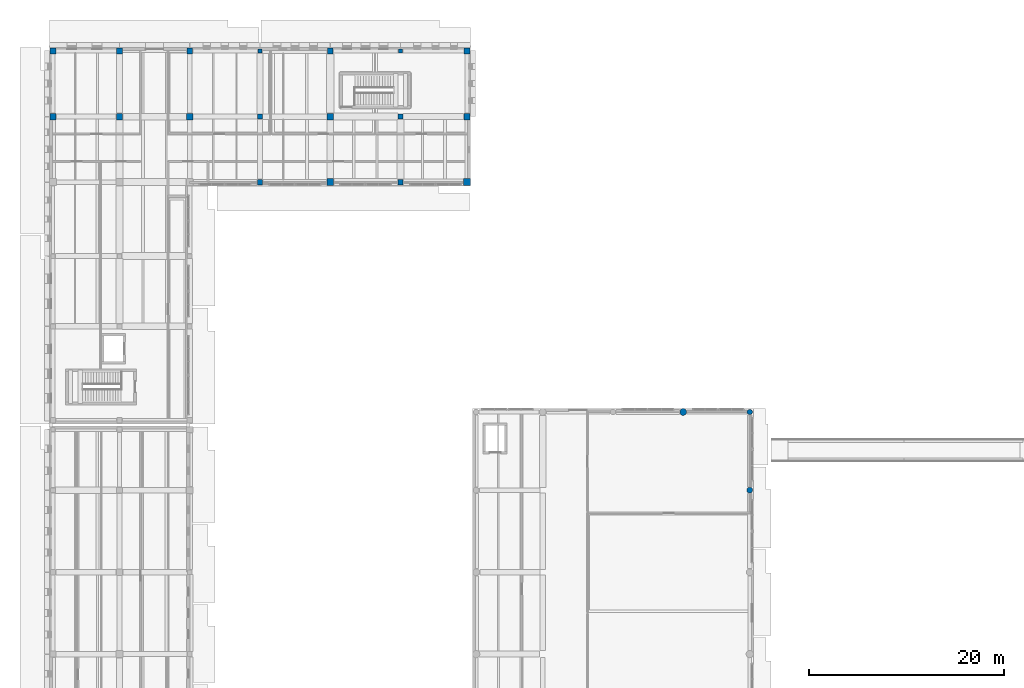
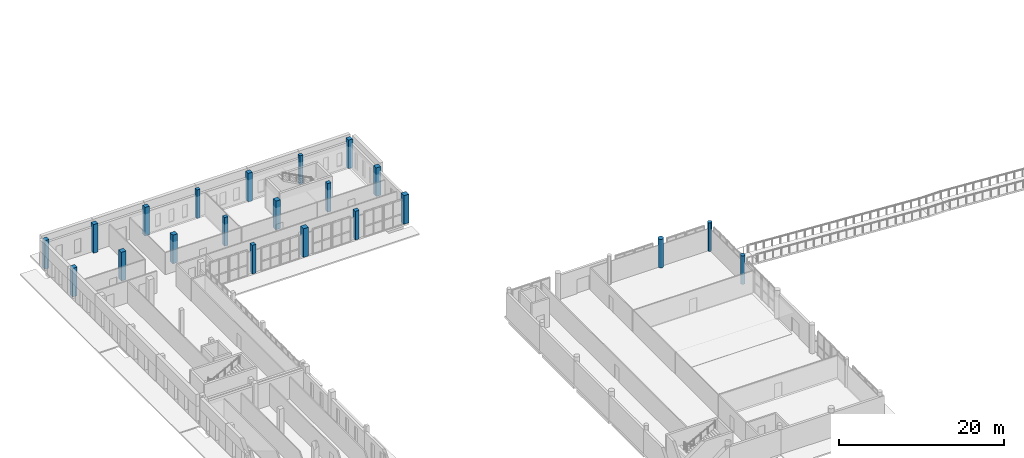
# One storey, part 4 of 77: 21 columns.
"""IFC4 building model written with IfcOpenShell, lengths in metres."""

from ifc_helpers import new_model, si_unit, direction, frame, origin, origin_2d, place, context, subcontext, project, spatial, rectangle, circle, extrude, material, material_profile, profile_set, type_object, element, save


model = new_model("IFC4")

# Units and contexts
model_context = context("Model", 3, precision=1e-05, world=origin(), true_north=direction((0.0, 1.0)))
body_context = subcontext(model_context, "Body", "Model", "MODEL_VIEW")
ifc_project = project(units=[si_unit("LENGTHUNIT", "METRE"), si_unit("AREAUNIT", "SQUARE_METRE"), si_unit("VOLUMEUNIT", "CUBIC_METRE"), si_unit("PLANEANGLEUNIT", "RADIAN"), si_unit("MASSUNIT", "GRAM", prefix="KILO")], contexts=[model_context])

# Site, building, storey
site_placement = place(None, origin())
site = spatial("IfcSite", under=ifc_project, at=site_placement, CompositionType="ELEMENT")
building_placement = place(site_placement, origin())
building = spatial("IfcBuilding", under=site, at=building_placement, Name="Vardoun Plaza Health Centre", CompositionType="ELEMENT")
storey_placement = place(building_placement, origin())
storey = spatial("IfcBuildingStorey", under=building, at=storey_placement, Name="L00", CompositionType="ELEMENT", Elevation=0.0)

# Columns
ifc_material_1 = material(Name="Concrete C40/50", Category="concrete")
ifc_material_profile_1 = material_profile(ifc_material_1, rectangle(XDim=0.449951171875, YDim=0.449951171875, at=origin_2d()), Name="RC-COL 450x450")
ifc_profile_set_1 = profile_set([ifc_material_profile_1], Name="Concrete C40/50")
column_type_1 = type_object("IfcColumnType", Name="C-07", PredefinedType="COLUMN", material=ifc_profile_set_1)
for number, where, z_axis, x_axis, name in (
    (1, (26.10009765625, 114.919921875, 0.0), (0.0, 0.0, 1.0), (1.0, 0.0, 0.0), "V3 L00 Column C-V3-21"),
    (2, (40.5, 114.919921875, 0.0), (0.0, 0.0, 1.0), (1.0, 0.0, 0.0), "V3 L00 Column C-V3-27"),
):
    element("IfcColumn", number, at=place(storey_placement, frame(where, z_axis=z_axis, x_axis=x_axis)), inside=storey, type_object=column_type_1, Name=name, PredefinedType="COLUMN", context=body_context, shape_type="SweptSolid", body=[
        extrude(rectangle(XDim=0.449951171875, YDim=0.449951171875, at=origin_2d()), origin(), (0.0, 0.0, 1.0), 4.235107421875),
    ])
ifc_material_2 = material(Name="Concrete C40/50", Category="concrete")
ifc_material_profile_2 = material_profile(ifc_material_2, rectangle(XDim=0.5, YDim=0.5, at=origin_2d()), Name="RC-COL 500x500")
ifc_profile_set_2 = profile_set([ifc_material_profile_2], Name="Concrete C40/50")
column_type_2 = type_object("IfcColumnType", Name="C-06", PredefinedType="COLUMN", material=ifc_profile_set_2)
for number, where, z_axis, x_axis, name in (
    (3, (26.10009765625, 108.199951171875, 0.0), (0.0, 0.0, 1.0), (1.0, 0.0, 0.0), "V3 L00 Column C-V3-20"),
    (4, (40.5, 108.199951171875, 0.0), (0.0, 0.0, 1.0), (1.0, 0.0, 0.0), "V3 L00 Column C-V3-26"),
):
    element("IfcColumn", number, at=place(storey_placement, frame(where, z_axis=z_axis, x_axis=x_axis)), inside=storey, type_object=column_type_2, Name=name, PredefinedType="COLUMN", context=body_context, shape_type="SweptSolid", body=[
        extrude(rectangle(XDim=0.5, YDim=0.5, at=origin_2d()), origin(), (0.0, 0.0, 1.0), 4.235107421875),
    ])
ifc_material_3 = material(Name="Concrete C40/50", Category="concrete")
ifc_material_profile_3 = material_profile(ifc_material_3, rectangle(XDim=0.550048828125, YDim=0.550048828125, at=origin_2d()), Name="RC-COL 550x550")
ifc_profile_set_3 = profile_set([ifc_material_profile_3], Name="Concrete C40/50")
column_type_3 = type_object("IfcColumnType", Name="C-05", PredefinedType="COLUMN", material=ifc_profile_set_3)
for number, where, z_axis, x_axis, name in (
    (5, (26.10009765625, 101.47998046875, 0.0), (0.0, 0.0, 1.0), (1.0, 0.0, 0.0), "V3 L00 Column C-V3-19"),
    (6, (40.5, 101.47998046875, 0.0), (0.0, 0.0, 1.0), (1.0, 0.0, 0.0), "V3 L00 Column C-V3-25"),
):
    element("IfcColumn", number, at=place(storey_placement, frame(where, z_axis=z_axis, x_axis=x_axis)), inside=storey, type_object=column_type_3, Name=name, PredefinedType="COLUMN", context=body_context, shape_type="SweptSolid", body=[
        extrude(rectangle(XDim=0.550048828125, YDim=0.550048828125, at=origin_2d()), origin(), (0.0, 0.0, 1.0), 4.235107421875),
    ])
ifc_material_4 = material(Name="Concrete C40/50", Category="concrete")
ifc_material_profile_4 = material_profile(ifc_material_4, rectangle(XDim=0.60009765625, YDim=0.60009765625, at=origin_2d()), Name="RC-COL 600x600")
ifc_profile_set_4 = profile_set([ifc_material_profile_4], Name="Concrete C40/50")
column_type_4 = type_object("IfcColumnType", Name="C-04", PredefinedType="COLUMN", material=ifc_profile_set_4)
for number, where, z_axis, x_axis, name in (
    (7, (4.8798828125, 114.919921875, 0.0), (0.0, 0.0, 1.0), (1.0, 0.0, 0.0), "V3 L00 Column C-V3-06"),
    (8, (11.699951171875, 114.919921875, 0.0), (0.0, 0.0, 1.0), (1.0, 0.0, 0.0), "V3 L00 Column C-V3-12"),
    (9, (18.89990234375, 114.919921875, 0.0), (0.0, 0.0, 1.0), (1.0, 0.0, 0.0), "V3 L00 Column C-V3-18"),
    (10, (33.300048828125, 114.919921875, 0.0), (0.0, 0.0, 1.0), (1.0, 0.0, 0.0), "V3 L00 Column C-V3-24"),
    (11, (47.320068359375, 114.919921875, 0.0), (0.0, 0.0, 1.0), (1.0, 0.0, 0.0), "V3 L00 Column C-V3-30"),
):
    element("IfcColumn", number, at=place(storey_placement, frame(where, z_axis=z_axis, x_axis=x_axis)), inside=storey, type_object=column_type_4, Name=name, PredefinedType="COLUMN", context=body_context, shape_type="SweptSolid", body=[
        extrude(rectangle(XDim=0.60009765625, YDim=0.60009765625, at=origin_2d()), origin(), (0.0, 0.0, 1.0), 4.235107421875),
    ])
ifc_material_5 = material(Name="Concrete C40/50", Category="concrete")
ifc_material_profile_5 = material_profile(ifc_material_5, rectangle(XDim=0.64990234375, YDim=0.64990234375, at=origin_2d()), Name="RC-COL 650x650")
ifc_profile_set_5 = profile_set([ifc_material_profile_5], Name="Concrete C40/50")
column_type_5 = type_object("IfcColumnType", Name="C-03", PredefinedType="COLUMN", material=ifc_profile_set_5)
for number, where, z_axis, x_axis, name in (
    (12, (4.8798828125, 108.199951171875, 0.0), (0.0, 0.0, 1.0), (1.0, 0.0, 0.0), "V3 L00 Column C-V3-05"),
    (13, (11.699951171875, 108.199951171875, 0.0), (0.0, 0.0, 1.0), (1.0, 0.0, 0.0), "V3 L00 Column C-V3-11"),
    (14, (18.89990234375, 108.199951171875, 0.0), (0.0, 0.0, 1.0), (1.0, 0.0, 0.0), "V3 L00 Column C-V3-17"),
    (15, (33.300048828125, 108.199951171875, 0.0), (0.0, 0.0, 1.0), (1.0, 0.0, 0.0), "V3 L00 Column C-V3-23"),
    (16, (47.320068359375, 108.199951171875, 0.0), (0.0, 0.0, 1.0), (1.0, 0.0, 0.0), "V3 L00 Column C-V3-29"),
):
    element("IfcColumn", number, at=place(storey_placement, frame(where, z_axis=z_axis, x_axis=x_axis)), inside=storey, type_object=column_type_5, Name=name, PredefinedType="COLUMN", context=body_context, shape_type="SweptSolid", body=[
        extrude(rectangle(XDim=0.64990234375, YDim=0.64990234375, at=origin_2d()), origin(), (0.0, 0.0, 1.0), 4.235107421875),
    ])
ifc_material_6 = material(Name="Concrete C40/50", Category="concrete")
ifc_material_profile_6 = material_profile(ifc_material_6, rectangle(XDim=0.699951171875, YDim=0.699951171875, at=origin_2d()), Name="RC-COL 700x700")
ifc_profile_set_6 = profile_set([ifc_material_profile_6], Name="Concrete C40/50")
column_type_6 = type_object("IfcColumnType", Name="C-02", PredefinedType="COLUMN", material=ifc_profile_set_6)
for number, where, z_axis, x_axis, name in (
    (17, (33.300048828125, 101.47998046875, 0.0), (0.0, 0.0, 1.0), (1.0, 0.0, 0.0), "V3 L00 Column C-V3-22"),
    (18, (47.320068359375, 101.47998046875, 0.0), (0.0, 0.0, 1.0), (1.0, 0.0, 0.0), "V3 L00 Column C-V3-28"),
):
    element("IfcColumn", number, at=place(storey_placement, frame(where, z_axis=z_axis, x_axis=x_axis)), inside=storey, type_object=column_type_6, Name=name, PredefinedType="COLUMN", context=body_context, shape_type="SweptSolid", body=[
        extrude(rectangle(XDim=0.699951171875, YDim=0.699951171875, at=origin_2d()), origin(), (0.0, 0.0, 1.0), 4.235107421875),
    ])
ifc_material_7 = material(Name="Pale Limestone Concrete C40/50", Category="masonry")
ifc_material_profile_7 = material_profile(ifc_material_7, circle(Radius=0.27490234375, at=origin_2d()), Name="RC-COL D550")
ifc_profile_set_7 = profile_set([ifc_material_profile_7], Name="Pale Limestone Concrete C40/50")
column_type_7 = type_object("IfcColumnType", Name="C-16", PredefinedType="COLUMN", material=ifc_profile_set_7)
column_1_placement = place(storey_placement, frame((76.300048828125, 77.919921875, 0.0), z_axis=(0.0, 0.0, 1.0), x_axis=(1.0, 0.0, 0.0)))
element("IfcColumn", 19, at=column_1_placement, inside=storey, type_object=column_type_7, Name="V1 L00 Column C-V1-18", PredefinedType="COLUMN", context=body_context, shape_type="SweptSolid", body=[
    extrude(circle(Radius=0.27490234375, at=origin_2d()), origin(), (0.0, 0.0, 1.0), 4.219970703125),
])
ifc_material_8 = material(Name="Pale Limestone Concrete C40/50", Category="masonry")
ifc_material_profile_8 = material_profile(ifc_material_8, circle(Radius=0.300048828125, at=origin_2d()), Name="RC-COL D600")
ifc_profile_set_8 = profile_set([ifc_material_profile_8], Name="Pale Limestone Concrete C40/50")
column_type_8 = type_object("IfcColumnType", Name="C-15", PredefinedType="COLUMN", material=ifc_profile_set_8)
column_2_placement = place(storey_placement, frame((76.300048828125, 69.900146484375, 0.0), z_axis=(0.0, 0.0, 1.0), x_axis=(1.0, 0.0, 0.0)))
element("IfcColumn", 20, at=column_2_placement, inside=storey, type_object=column_type_8, Name="V1 L00 Column C-V1-17", PredefinedType="COLUMN", context=body_context, shape_type="SweptSolid", body=[
    extrude(circle(Radius=0.300048828125, at=origin_2d()), origin(), (0.0, 0.0, 1.0), 4.219970703125),
])
ifc_material_9 = material(Name="Pale Limestone Concrete C40/50", Category="masonry")
ifc_material_profile_9 = material_profile(ifc_material_9, circle(Radius=0.35009765625, at=origin_2d()), Name="RC-COL D700")
ifc_profile_set_9 = profile_set([ifc_material_profile_9], Name="Pale Limestone Concrete C40/50")
column_type_9 = type_object("IfcColumnType", Name="C-14", PredefinedType="COLUMN", material=ifc_profile_set_9)
column_3_placement = place(storey_placement, frame((69.47998046875, 77.919921875, 0.0), z_axis=(0.0, 0.0, 1.0), x_axis=(1.0, 0.0, 0.0)))
element("IfcColumn", 21, at=column_3_placement, inside=storey, type_object=column_type_9, Name="V1 L00 Column C-V1-12", PredefinedType="COLUMN", context=body_context, shape_type="SweptSolid", body=[
    extrude(circle(Radius=0.35009765625, at=origin_2d()), origin(), (0.0, 0.0, 1.0), 4.219970703125),
])

save(model, "model.ifc")
